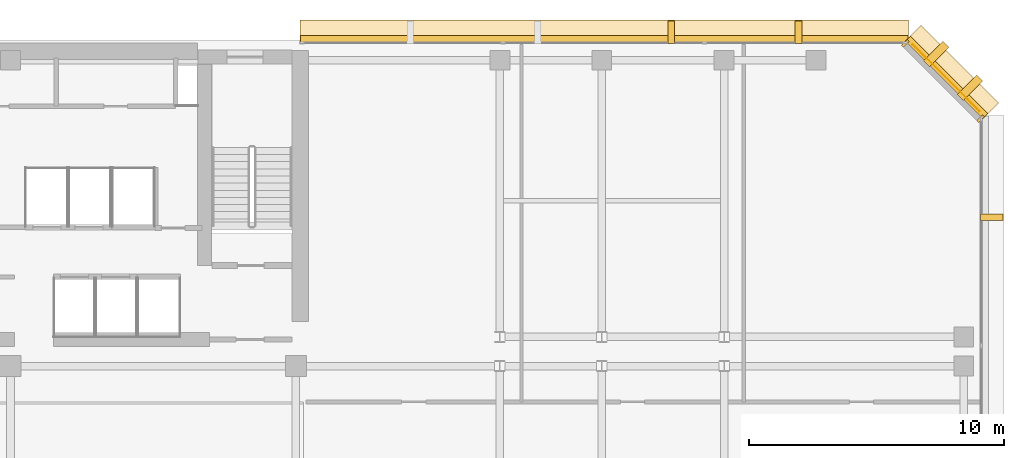
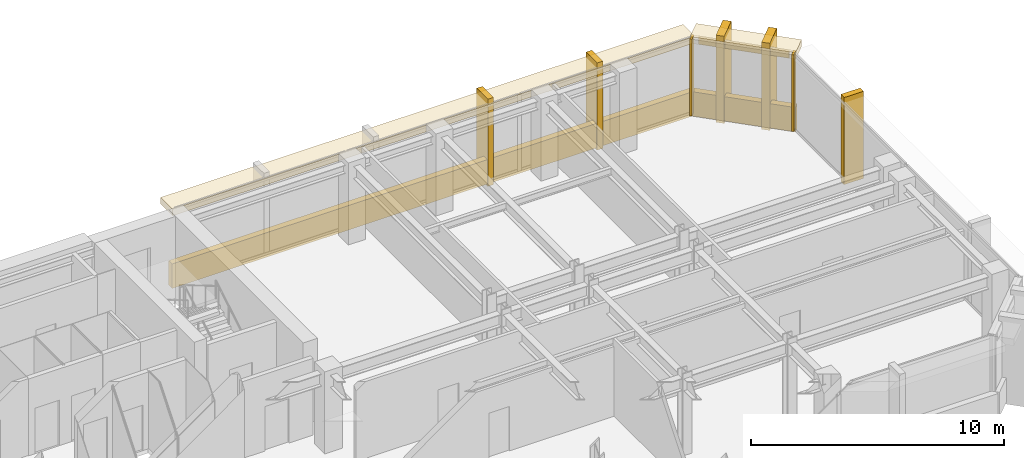
# One storey, part 12 of 12: 12 coverings.
"""IFC4 building model written with IfcOpenShell, lengths in metres."""

from ifc_helpers import new_model, si_unit, direction, frame, origin, origin_2d, place, context, subcontext, project, spatial, rectangle, extrude, material, layer, layer_set, type_object, element, save


model = new_model("IFC4")

# Units and contexts
model_context = context("Model", 3, precision=1e-05, world=origin(), true_north=direction((0.0, 1.0)))
body_context = subcontext(model_context, "Body", "Model", "MODEL_VIEW")
ifc_project = project(units=[si_unit("LENGTHUNIT", "METRE"), si_unit("AREAUNIT", "SQUARE_METRE"), si_unit("VOLUMEUNIT", "CUBIC_METRE"), si_unit("PLANEANGLEUNIT", "RADIAN"), si_unit("MASSUNIT", "GRAM", prefix="KILO")], contexts=[model_context])

# Site, building, storey
site_placement = place(None, origin())
site = spatial("IfcSite", under=ifc_project, at=site_placement, CompositionType="ELEMENT")
building_placement = place(site_placement, origin())
building = spatial("IfcBuilding", under=site, at=building_placement, Name="Kefirva Bronze Tower", CompositionType="ELEMENT")
storey_placement = place(building_placement, frame((0.0, 0.0, 199.320068359375)))
storey = spatial("IfcBuildingStorey", under=building, at=storey_placement, Name="L48", CompositionType="ELEMENT", Elevation=199.320068359375)

# Coverings
ifc_material = material(Name="Bronze anodised aluminium", Category="aluminium")
ifc_layer_1 = layer(ifc_material, 0.02001953125, Name="Bronze anodised aluminium")
ifc_layer_set_1 = layer_set([ifc_layer_1], Name="Bronze anodised aluminium")
covering_type_1 = type_object("IfcCoveringType", Name="Anodised Bronze Spandrel Cladding 20mm", PredefinedType="CLADDING", material=ifc_layer_set_1)
covering_1_placement = place(storey_placement, frame((48.70703125, 44.507080078125, 3.2900390625), z_axis=(0.0, 0.0, 1.0), x_axis=(-0.707106781187, 0.707106781187, 0.0)))
element("IfcCovering", 1, at=covering_1_placement, inside=storey, type_object=covering_type_1, Name="L48 Bronze Spandrel Cladding 8", PredefinedType="CLADDING", context=body_context, shape_type="SweptSolid", body=[
    extrude(rectangle(XDim=3.719482421875, YDim=0.02001953125, at=origin_2d()), origin(), (0.0, 0.0, 1.0), 0.39990234375),
])
for number, where, z_axis, x_axis, name in (
    (2, (50.06201171875, 42.91162109375, 0.0), (0.0, 0.0, 1.0), (-0.707106781187, 0.707106781187, 0.0), "L48 Facade Joint Closure Panel 8S"),
    (3, (47.11181640625, 45.862060546875, 0.0), (0.0, 0.0, 1.0), (-0.707106781187, 0.707106781187, 0.0), "L48 Facade Joint Closure Panel 8E"),
):
    element("IfcCovering", number, at=place(storey_placement, frame(where, z_axis=z_axis, x_axis=x_axis)), inside=storey, type_object=covering_type_1, Name=name, PredefinedType="CLADDING", context=body_context, shape_type="SweptSolid", body=[
        extrude(rectangle(XDim=0.10009765625, YDim=0.320068359375, at=origin_2d()), origin(), (0.0, 0.0, 1.0), 3.7099609375),
    ])
covering_2_placement = place(storey_placement, frame((48.728271484375, 44.5283203125, -0.16015625), z_axis=(0.0, 0.0, 1.0), x_axis=(-0.707106781187, 0.707106781187, 0.0)))
element("IfcCovering", 4, at=covering_2_placement, inside=storey, type_object=covering_type_1, Name="L48 Streamline Horizontal Spandrel Band 11", PredefinedType="CLADDING", context=body_context, shape_type="SweptSolid", body=[
    extrude(rectangle(XDim=4.28271484375, YDim=0.280029296875, at=origin_2d()), origin(), (0.0, 0.0, 1.0), 1.179931640625),
])
covering_3_placement = place(storey_placement, frame((35.302490234375, 46.0400390625, -0.16015625), z_axis=(0.0, 0.0, 1.0), x_axis=(-1.0, 0.0, 0.0)))
element("IfcCovering", 5, at=covering_3_placement, inside=storey, type_object=covering_type_1, Name="L48 Streamline Horizontal Spandrel Band 12", PredefinedType="CLADDING", context=body_context, shape_type="SweptSolid", body=[
    extrude(rectangle(XDim=23.8349609375, YDim=0.280029296875, at=origin_2d()), origin(), (0.0, 0.0, 1.0), 1.179931640625),
])
ifc_layer_2 = layer(ifc_material, 0.179931640625, Name="Bronze anodised aluminium")
ifc_layer_set_2 = layer_set([ifc_layer_2], Name="Bronze anodised aluminium")
covering_type_2 = type_object("IfcCoveringType", Name="Streamline Bronze Sunshade Eyebrow Cladding 180mm", PredefinedType="CLADDING", material=ifc_layer_set_2)
covering_4_placement = place(storey_placement, frame((48.919189453125, 44.71923828125, 3.39013671875), z_axis=(0.0, 0.0, 1.0), x_axis=(-0.707106781187, 0.707106781187, 0.0)))
element("IfcCovering", 6, at=covering_4_placement, inside=storey, type_object=covering_type_2, Name="L48 Streamline Bronze Sunshade Eyebrow 11", PredefinedType="CLADDING", context=body_context, shape_type="SweptSolid", body=[
    extrude(rectangle(XDim=4.322509765625, YDim=0.93994140625, at=origin_2d()), origin(), (0.0, 0.0, 1.0), 0.320068359375),
])
covering_5_placement = place(storey_placement, frame((35.302490234375, 46.31005859375, 3.39013671875), z_axis=(0.0, 0.0, 1.0), x_axis=(-1.0, 0.0, 0.0)))
element("IfcCovering", 7, at=covering_5_placement, inside=storey, type_object=covering_type_2, Name="L48 Streamline Bronze Sunshade Eyebrow 12", PredefinedType="CLADDING", context=body_context, shape_type="SweptSolid", body=[
    extrude(rectangle(XDim=23.875, YDim=0.93994140625, at=origin_2d()), origin(), (0.0, 0.0, 1.0), 0.320068359375),
])
ifc_layer_3 = layer(ifc_material, 0.260009765625, Name="Bronze anodised aluminium")
ifc_layer_set_3 = layer_set([ifc_layer_3], Name="Bronze anodised aluminium")
covering_type_3 = type_object("IfcCoveringType", Name="Unbroken Bronze Buttress Fin Cladding 260mm", PredefinedType="CLADDING", material=ifc_layer_set_3)
covering_6_placement = place(storey_placement, frame((50.5, 39.0400390625, -0.25), z_axis=(0.0, 0.0, 1.0), x_axis=(0.0, 1.0, 0.0)))
element("IfcCovering", 8, at=covering_6_placement, inside=storey, type_object=covering_type_3, Name="L48 Unbroken Vertical Bronze Rib Fin 14", PredefinedType="CLADDING", context=body_context, shape_type="SweptSolid", body=[
    extrude(rectangle(XDim=0.260009765625, YDim=0.8798828125, at=origin_2d()), origin(), (0.0, 0.0, 1.0), 4.2099609375),
])
for number, where, z_axis, x_axis, name in (
    (9, (49.642822265625, 44.122802734375, -0.25), (0.0, 0.0, 1.0), (-0.707106781187, 0.707106781187, 0.0), "L48 Chamfered Corner Buttress Fin Cladding 15"),
    (10, (48.32275390625, 45.44287109375, -0.25), (0.0, 0.0, 1.0), (-0.707106781187, 0.707106781187, 0.0), "L48 Chamfered Corner Buttress Fin Cladding 16"),
):
    element("IfcCovering", number, at=place(storey_placement, frame(where, z_axis=z_axis, x_axis=x_axis)), inside=storey, type_object=covering_type_3, Name=name, PredefinedType="CLADDING", context=body_context, shape_type="SweptSolid", body=[
        extrude(rectangle(XDim=0.340087890625, YDim=1.080078125, at=origin_2d()), origin(), (0.0, 0.0, 1.0), 4.2099609375),
    ])
for number, where, z_axis, x_axis, name in (
    (11, (42.9169921875, 46.300048828125, -0.25), (0.0, 0.0, 1.0), (-1.0, 0.0, 0.0), "L48 Unbroken Vertical Bronze Rib Fin 17"),
    (12, (37.919921875, 46.300048828125, -0.25), (0.0, 0.0, 1.0), (-1.0, 0.0, 0.0), "L48 Unbroken Vertical Bronze Rib Fin 18"),
):
    element("IfcCovering", number, at=place(storey_placement, frame(where, z_axis=z_axis, x_axis=x_axis)), inside=storey, type_object=covering_type_3, Name=name, PredefinedType="CLADDING", context=body_context, shape_type="SweptSolid", body=[
        extrude(rectangle(XDim=0.260009765625, YDim=0.8798828125, at=origin_2d()), origin(), (0.0, 0.0, 1.0), 4.2099609375),
    ])

save(model, "model.ifc")
